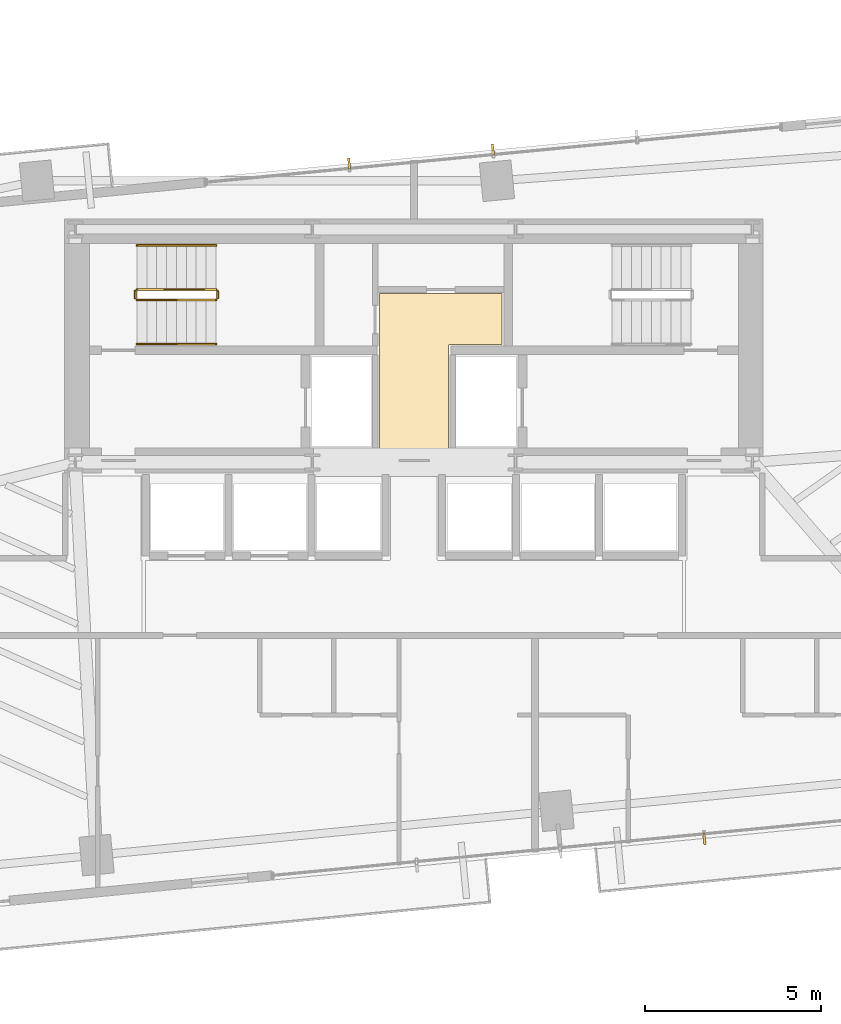
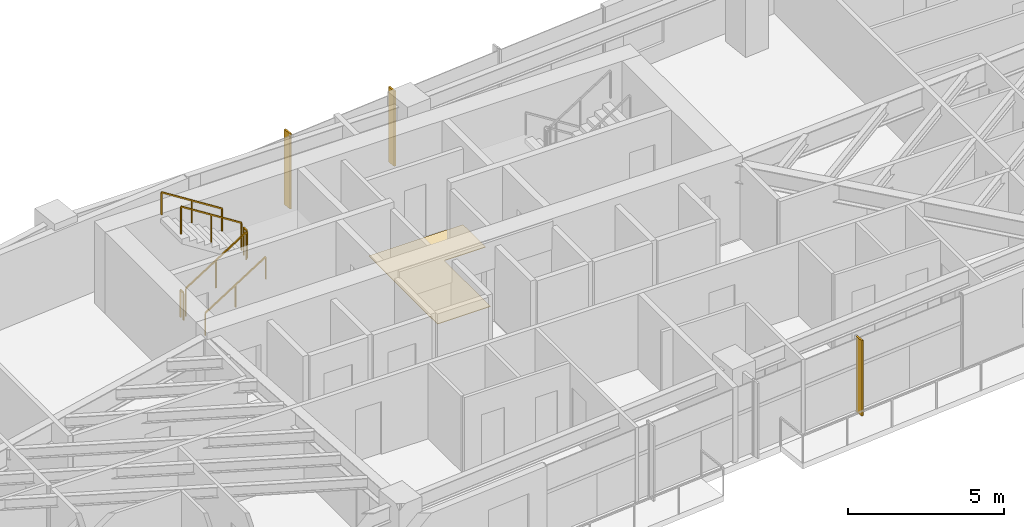
# One storey, part 26 of 27: 6 railings, 3 shading devices, 1 covering.
"""IFC4 building model written with IfcOpenShell, lengths in metres."""

from ifc_helpers import new_model, si_unit, direction, frame, origin, origin_2d, place, context, subcontext, project, spatial, polyline, rectangle, outline, extrude, source, transform, mapped, material, layer, layer_set, type_object, type_shapes, element, save


model = new_model("IFC4")

# Units and contexts
model_context = context("Model", 3, precision=1e-05, world=origin(), true_north=direction((0.0, 1.0)))
body_context = subcontext(model_context, "Body", "Model", "MODEL_VIEW")
ifc_project = project(units=[si_unit("LENGTHUNIT", "METRE"), si_unit("AREAUNIT", "SQUARE_METRE"), si_unit("VOLUMEUNIT", "CUBIC_METRE"), si_unit("PLANEANGLEUNIT", "RADIAN"), si_unit("MASSUNIT", "GRAM", prefix="KILO")], contexts=[model_context])

# Site, building, storey
site_placement = place(None, origin())
site = spatial("IfcSite", under=ifc_project, at=site_placement, CompositionType="ELEMENT")
building_placement = place(site_placement, origin())
building = spatial("IfcBuilding", under=site, at=building_placement, Name="Astriad Promenade Condominiums", CompositionType="ELEMENT")
storey_placement = place(building_placement, frame((0.0, 0.0, 90.60009765625)))
storey = spatial("IfcBuildingStorey", under=building, at=storey_placement, Name="L25", CompositionType="ELEMENT", Elevation=90.60009765625)

# Covering
ifc_material_1 = material(Name="Polished Lakefront Terrazzo Flooring")
ifc_layer = layer(ifc_material_1, 0.02001953125)
ifc_layer_set = layer_set([ifc_layer], Name="Polished Lakefront Terrazzo Flooring")
covering_type = type_object("IfcCoveringType", Name="COV-FLOR-TERRAZZO-20", PredefinedType="FLOORING", material=ifc_layer_set)
covering_placement = place(storey_placement, origin())
element("IfcCovering", 1, at=covering_placement, inside=storey, type_object=covering_type, Name="FLR-L25-CSL", PredefinedType="FLOORING", context=body_context, shape_type="SweptSolid", body=[
    extrude(outline(polyline([(36.97998046875, 20.699951171875), (36.97998046875, 17.7900390625), (35.02001953125, 17.7900390625), (35.02001953125, 22.179931640625), (38.5, 22.179931640625), (38.5, 20.739990234375), (37.02001953125, 20.739990234375), (37.01611328125, 20.73974609375), (37.01220703125, 20.7392578125), (37.00830078125, 20.73828125), (37.004638671875, 20.737060546875), (37.001220703125, 20.7353515625), (36.997802734375, 20.7333984375), (36.99462890625, 20.73095703125), (36.99169921875, 20.728271484375), (36.989013671875, 20.725341796875), (36.98681640625, 20.72216796875), (36.984619140625, 20.718994140625), (36.98291015625, 20.71533203125), (36.981689453125, 20.711669921875), (36.980712890625, 20.707763671875), (36.980224609375, 20.703857421875), (36.97998046875, 20.699951171875)])), origin(), (0.0, 0.0, 1.0), 0.02001953125),
])

# Shading devices
ifc_material_2 = material(Name="Anodised aluminium 6063-T6 Black Fin", Category="aluminium")
shading_device_type = type_object("IfcShadingDeviceType", Name="FIN-BLACK-320", PredefinedType="USERDEFINED", material=ifc_material_2)
shared_shape_1 = source(origin(), body_context, "Body", "SweptSolid", [
    extrude(rectangle(XDim=0.06494140625, YDim=0.320068359375, at=origin_2d()), origin(), (0.0, 0.0, 1.0), 2.93994140625),
])
type_shapes(shading_device_type, [shared_shape_1])
for number, where, z_axis, x_axis, name in (
    (2, (34.164306640625, 25.87158203125, 0.0), (0.0, 0.0, 1.0), (0.995396198367, 0.09584575252, 0.0), "CW-L25-N-FIN-01"),
    (3, (38.240478515625, 26.263916015625, 0.0), (0.0, 0.0, 1.0), (0.995396198367, 0.09584575252, 0.0), "CW-L25-N-FIN-02"),
    (4, (44.235595703125, 6.728515625, 0.0), (0.0, 0.0, 1.0), (-0.995396198367, -0.09584575252, 0.0), "CW-L25-S-FIN-01"),
):
    element("IfcShadingDevice", number, at=place(storey_placement, frame(where, z_axis=z_axis, x_axis=x_axis)), inside=storey, type_object=shading_device_type, Name=name, ObjectType="FIN", PredefinedType="USERDEFINED", context=body_context, shape_type="MappedRepresentation", body=[
        mapped(shared_shape_1, transform((0.0, 0.0, 0.0), scale=1.0)),
    ])

# Railings
ifc_material_3 = material(Name="Painted Galvanised Steel Guardrail", Category="steel")
railing_type_1 = type_object("IfcRailingType", Name="GRD-STAIR-1100", PredefinedType="GUARDRAIL", material=ifc_material_3)
shared_shape_2 = source(origin(), body_context, "Body", "SweptSolid", [
    extrude(rectangle(XDim=0.048095703125, YDim=0.048095703125, at=origin_2d()), frame((0.0, 0.0, 1.076171875), z_axis=(0.0, 1.0, 0.0), x_axis=(-1.0, 0.0, 0.0)), (0.0, 0.0, 1.0), 0.199951171875),
    extrude(rectangle(XDim=0.0419921875, YDim=0.0419921875, at=origin_2d()), origin(), (0.0, 0.0, 1.0), 1.052001953125),
    extrude(rectangle(XDim=0.0419921875, YDim=0.0419921875, at=origin_2d()), frame((0.0, 0.199951171875, 0.0)), (0.0, 0.0, 1.0), 1.052001953125),
])
for number, where, name in (
    (5, (30.43994140625, 22.050048828125, 1.599853515625), "L25 ST-1 stair guard 2"),
    (6, (28.10009765625, 22.050048828125, 0.0), "L25 ST-1 stair guard 4"),
):
    element("IfcRailing", number, at=place(storey_placement, frame(where)), inside=storey, type_object=railing_type_1, Name=name, PredefinedType="GUARDRAIL", context=body_context, shape_type="MappedRepresentation", body=[
        mapped(shared_shape_2, transform((0.0, 0.0, 0.0), scale=1.0)),
    ])
shared_shape_3 = source(origin(), body_context, "Body", "SweptSolid", [
    extrude(rectangle(XDim=0.048095703125, YDim=0.048095703125, at=origin_2d()), frame((0.0, 0.0, 1.076171875), z_axis=(0.8442293374, 0.0, 0.53598211339), x_axis=(0.0, 1.0, 0.0)), (0.0, 0.0, 1.0), 2.6533203125),
    extrude(rectangle(XDim=0.0419921875, YDim=0.0419921875, at=origin_2d()), origin(), (0.0, 0.0, 1.0), 1.052001953125),
    extrude(rectangle(XDim=0.0419921875, YDim=0.0419921875, at=origin_2d()), frame((1.1201171875, 0.0, 0.7109375)), (0.0, 0.0, 1.0), 1.052001953125),
    extrude(rectangle(XDim=0.0419921875, YDim=0.0419921875, at=origin_2d()), frame((2.239990234375, 0.0, 1.422119140625)), (0.0, 0.0, 1.0), 1.052001953125),
])
railing_1_placement = place(storey_placement, frame((28.14990234375, 22.0, 0.177734375)))
element("IfcRailing", 7, at=railing_1_placement, inside=storey, type_object=railing_type_1, Name="L25 ST-1 stair guard 1", PredefinedType="GUARDRAIL", context=body_context, shape_type="MappedRepresentation", body=[
    mapped(shared_shape_3, transform((0.0, 0.0, 0.0), scale=1.0)),
])
shared_shape_4 = source(origin(), body_context, "Body", "SweptSolid", [
    extrude(rectangle(XDim=0.048095703125, YDim=0.048095703125, at=origin_2d()), frame((0.0, 0.0, 1.076171875), z_axis=(-0.84418770128, 0.0, 0.536047689118), x_axis=(0.0, -1.0, 0.0)), (0.0, 0.0, 1.0), 2.6533203125),
    extrude(rectangle(XDim=0.0419921875, YDim=0.0419921875, at=origin_2d()), origin(), (0.0, 0.0, 1.0), 1.052001953125),
    extrude(rectangle(XDim=0.0419921875, YDim=0.0419921875, at=origin_2d()), frame((-1.1201171875, 0.0, 0.711181640625)), (0.0, 0.0, 1.0), 1.052001953125),
    extrude(rectangle(XDim=0.0419921875, YDim=0.0419921875, at=origin_2d()), frame((-2.239990234375, 0.0, 1.42236328125)), (0.0, 0.0, 1.0), 1.052001953125),
])
type_shapes(railing_type_1, [shared_shape_2, shared_shape_3, shared_shape_4])
railing_2_placement = place(storey_placement, frame((30.389892578125, 22.300048828125, 1.777587890625)))
element("IfcRailing", 8, at=railing_2_placement, inside=storey, type_object=railing_type_1, Name="L25 ST-1 stair guard 3", PredefinedType="GUARDRAIL", context=body_context, shape_type="MappedRepresentation", body=[
    mapped(shared_shape_4, transform((0.0, 0.0, 0.0), scale=1.0)),
])
ifc_material_4 = material(Name="Brushed Stainless Steel Handrail", Category="steel")
railing_type_2 = type_object("IfcRailingType", Name="HRL-STAIR-920", PredefinedType="HANDRAIL", material=ifc_material_4)
shared_shape_5 = source(origin(), body_context, "Body", "SweptSolid", [
    extrude(rectangle(XDim=0.048095703125, YDim=0.048095703125, at=origin_2d()), frame((0.0, 0.0, 0.8759765625), z_axis=(0.8442293374, 0.0, 0.53598211339), x_axis=(0.0, 1.0, 0.0)), (0.0, 0.0, 1.0), 2.6533203125),
    extrude(rectangle(XDim=0.0419921875, YDim=0.0419921875, at=origin_2d()), origin(), (0.0, 0.0, 1.0), 0.851806640625),
    extrude(rectangle(XDim=0.0419921875, YDim=0.0419921875, at=origin_2d()), frame((1.1201171875, 0.0, 0.7109375)), (0.0, 0.0, 1.0), 0.851806640625),
    extrude(rectangle(XDim=0.0419921875, YDim=0.0419921875, at=origin_2d()), frame((2.239990234375, 0.0, 1.422119140625)), (0.0, 0.0, 1.0), 0.851806640625),
])
railing_3_placement = place(storey_placement, frame((28.14990234375, 20.75, 0.177734375)))
element("IfcRailing", 9, at=railing_3_placement, inside=storey, type_object=railing_type_2, Name="L25 ST-1 stair handrail 1", PredefinedType="HANDRAIL", context=body_context, shape_type="MappedRepresentation", body=[
    mapped(shared_shape_5, transform((0.0, 0.0, 0.0), scale=1.0)),
])
shared_shape_6 = source(origin(), body_context, "Body", "SweptSolid", [
    extrude(rectangle(XDim=0.048095703125, YDim=0.048095703125, at=origin_2d()), frame((0.0, 0.0, 0.8759765625), z_axis=(-0.84418770128, 0.0, 0.536047689118), x_axis=(0.0, -1.0, 0.0)), (0.0, 0.0, 1.0), 2.6533203125),
    extrude(rectangle(XDim=0.0419921875, YDim=0.0419921875, at=origin_2d()), origin(), (0.0, 0.0, 1.0), 0.851806640625),
    extrude(rectangle(XDim=0.0419921875, YDim=0.0419921875, at=origin_2d()), frame((-1.1201171875, 0.0, 0.711181640625)), (0.0, 0.0, 1.0), 0.851806640625),
    extrude(rectangle(XDim=0.0419921875, YDim=0.0419921875, at=origin_2d()), frame((-2.239990234375, 0.0, 1.42236328125)), (0.0, 0.0, 1.0), 0.851806640625),
])
type_shapes(railing_type_2, [shared_shape_5, shared_shape_6])
railing_4_placement = place(storey_placement, frame((30.389892578125, 23.550048828125, 1.777587890625)))
element("IfcRailing", 10, at=railing_4_placement, inside=storey, type_object=railing_type_2, Name="L25 ST-1 stair handrail 2", PredefinedType="HANDRAIL", context=body_context, shape_type="MappedRepresentation", body=[
    mapped(shared_shape_6, transform((0.0, 0.0, 0.0), scale=1.0)),
])

save(model, "model.ifc")
